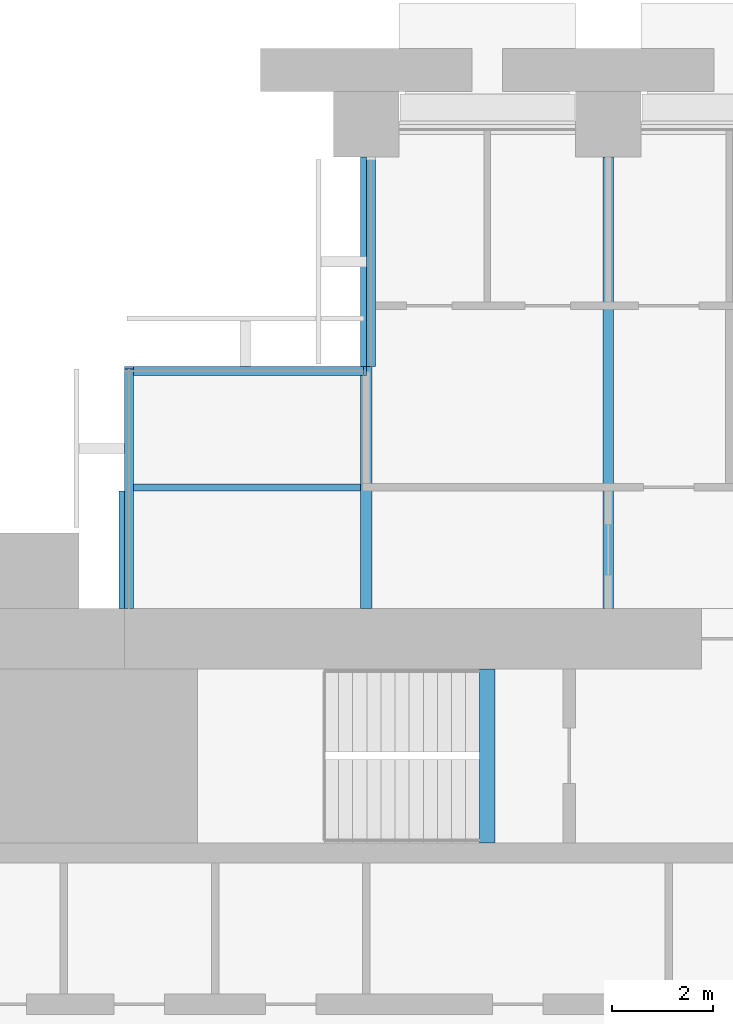
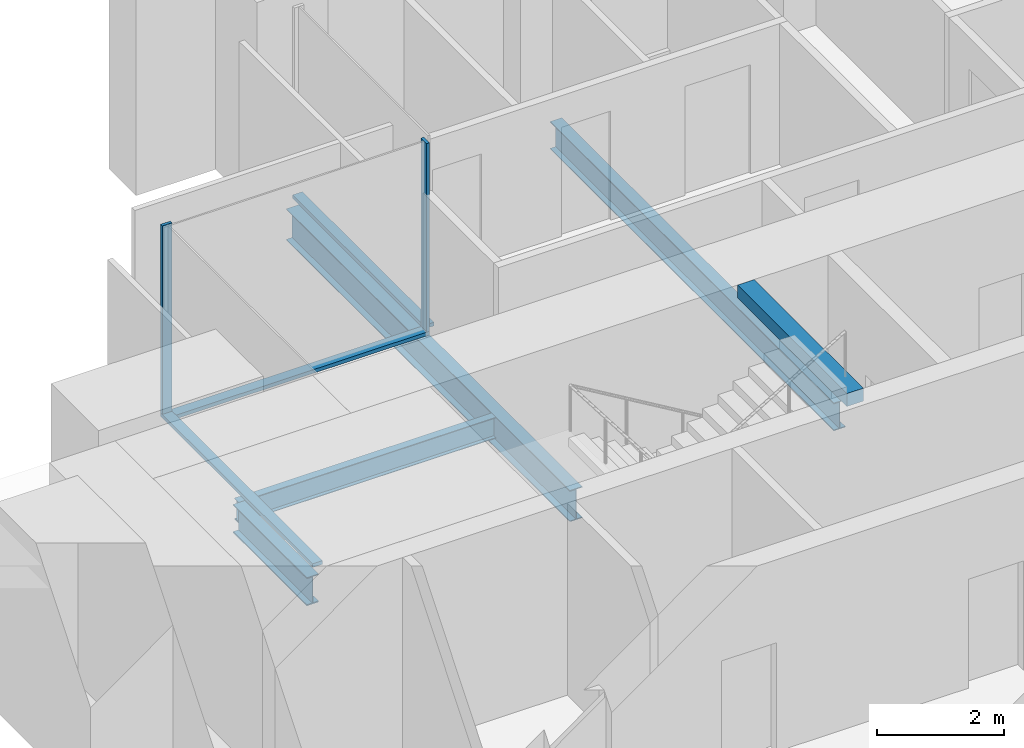
# One storey, part 5 of 15: 5 beams, 5 members, 3 elements without a shape of their own.
"""IFC4 building model written with IfcOpenShell, lengths in metres."""

from ifc_helpers import new_model, si_unit, direction, frame, origin, origin_2d, place, context, subcontext, project, spatial, rectangle, i_section, extrude, material, material_profile, profile_set, type_object, element, aggregate, save


model = new_model("IFC4")

# Units and contexts
model_context = context("Model", 3, precision=1e-05, world=origin(), true_north=direction((0.0, 1.0)))
body_context = subcontext(model_context, "Body", "Model", "MODEL_VIEW")
ifc_project = project(units=[si_unit("LENGTHUNIT", "METRE"), si_unit("AREAUNIT", "SQUARE_METRE"), si_unit("VOLUMEUNIT", "CUBIC_METRE"), si_unit("PLANEANGLEUNIT", "RADIAN"), si_unit("MASSUNIT", "GRAM", prefix="KILO")], contexts=[model_context])

# Site, building, storey
site_placement = place(None, origin())
site = spatial("IfcSite", under=ifc_project, at=site_placement, CompositionType="ELEMENT")
building_placement = place(site_placement, origin())
building = spatial("IfcBuilding", under=site, at=building_placement, Name="Baori Bourse Tower", CompositionType="ELEMENT")
storey_placement = place(building_placement, frame((0.0, 0.0, 83.0)))
storey = spatial("IfcBuildingStorey", under=building, at=storey_placement, Name="L18", CompositionType="ELEMENT", Elevation=83.0)

# Curtain wall, member
ifc_material_1 = material(Name="Pale anodised aluminium", Category="aluminium")
curtain_wall_type = type_object("IfcCurtainWallType", Name="CW2 Curtain wall", PredefinedType="NOTDEFINED", material=ifc_material_1)
curtain_wall_1_placement = place(storey_placement, origin())
curtain_wall_1 = element("IfcCurtainWall", 1, at=curtain_wall_1_placement, inside=storey, type_object=curtain_wall_type, Name="Curtain wall CW2 L18 9", PredefinedType="NOTDEFINED")
ifc_material_2 = material(Name="Pale anodised aluminium", Category="aluminium")
ifc_material_profile_1 = material_profile(ifc_material_2, rectangle(XDim=0.179931640625, YDim=0.054931640625, at=origin_2d()), Name="Mullion 55x180")
ifc_profile_set_1 = profile_set([ifc_material_profile_1], Name="Pale anodised aluminium")
member_type_1 = type_object("IfcMemberType", Name="CW2 Curtain wall mullion", PredefinedType="MULLION", material=ifc_profile_set_1)
member_1_placement = place(storey_placement, frame((9.572509765625, 43.110107421875, 0.070068359375), z_axis=(0.0, 0.0, 1.0), x_axis=(0.0, -1.0, 0.0)))
member_1 = element("IfcMember", 2, at=member_1_placement, type_object=member_type_1, Name="Curtain wall CW2 mullion", PredefinedType="MULLION", context=body_context, shape_type="SweptSolid", body=[
    extrude(rectangle(XDim=0.179931640625, YDim=0.054931640625, at=origin_2d()), origin(), (0.0, 0.0, 1.0), 3.6298828125),
])

curtain_wall_2_placement = place(storey_placement, origin())
curtain_wall_2 = element("IfcCurtainWall", 3, at=curtain_wall_2_placement, inside=storey, type_object=curtain_wall_type, Name="Curtain wall CW2 L18 10", PredefinedType="NOTDEFINED")
member_2_placement = place(storey_placement, frame((4.889892578125, 43.172607421875, 0.070068359375), z_axis=(0.0, 0.0, 1.0), x_axis=(1.0, 0.0, 0.0)))
member_2 = element("IfcMember", 4, at=member_2_placement, type_object=member_type_1, Name="Curtain wall CW2 mullion", PredefinedType="MULLION", context=body_context, shape_type="SweptSolid", body=[
    extrude(rectangle(XDim=0.179931640625, YDim=0.054931640625, at=origin_2d()), origin(), (0.0, 0.0, 1.0), 3.6298828125),
])

curtain_wall_3_placement = place(storey_placement, origin())
curtain_wall_3 = element("IfcCurtainWall", 5, at=curtain_wall_3_placement, inside=storey, type_object=curtain_wall_type, Name="Curtain wall CW2 L18 8", PredefinedType="NOTDEFINED")
ifc_material_3 = material(Name="Pale anodised aluminium", Category="aluminium")
ifc_material_profile_2 = material_profile(ifc_material_3, rectangle(XDim=0.179931640625, YDim=0.070068359375, at=origin_2d()), Name="Transom 70x180")
ifc_profile_set_2 = profile_set([ifc_material_profile_2], Name="Pale anodised aluminium")
member_type_2 = type_object("IfcMemberType", Name="CW2 Curtain wall transom", PredefinedType="USERDEFINED", material=ifc_profile_set_2)
member_3_placement = place(storey_placement, frame((9.68994140625, 47.35009765625, 0.034912109375), z_axis=(0.0, -1.0, 0.0), x_axis=(1.0, 0.0, 0.0)))
member_3 = element("IfcMember", 6, at=member_3_placement, type_object=member_type_2, Name="Curtain wall CW2 sill rail", ObjectType="TRANSOM", PredefinedType="USERDEFINED", context=body_context, shape_type="SweptSolid", body=[
    extrude(rectangle(XDim=0.179931640625, YDim=0.070068359375, at=origin_2d()), origin(), (0.0, 0.0, 1.0), 4.150146484375),
])
aggregate(curtain_wall_3, [member_3])

# Member
member_4_placement = place(storey_placement, frame((9.60009765625, 43.110107421875, 0.034912109375), z_axis=(-1.0, 0.0, 0.0), x_axis=(0.0, -1.0, 0.0)))
member_4 = element("IfcMember", 7, at=member_4_placement, type_object=member_type_2, Name="Curtain wall CW2 sill rail", ObjectType="TRANSOM", PredefinedType="USERDEFINED", context=body_context, shape_type="SweptSolid", body=[
    extrude(rectangle(XDim=0.179931640625, YDim=0.070068359375, at=origin_2d()), origin(), (0.0, 0.0, 1.0), 4.800048828125),
])

aggregate(curtain_wall_1, [member_4, member_1])

member_5_placement = place(storey_placement, frame((4.889892578125, 43.199951171875, 0.034912109375), z_axis=(0.0, -1.0, 0.0), x_axis=(1.0, 0.0, 0.0)))
member_5 = element("IfcMember", 8, at=member_5_placement, type_object=member_type_2, Name="Curtain wall CW2 sill rail", ObjectType="TRANSOM", PredefinedType="USERDEFINED", context=body_context, shape_type="SweptSolid", body=[
    extrude(rectangle(XDim=0.179931640625, YDim=0.070068359375, at=origin_2d()), origin(), (0.0, 0.0, 1.0), 4.800048828125),
])

aggregate(curtain_wall_2, [member_5, member_2])

# Beams
ifc_material_4 = material(Name="Steel A992 Gr 50", Category="steel")
ifc_material_profile_3 = material_profile(ifc_material_4, i_section(OverallWidth=0.21240234375, OverallDepth=0.54345703125, WebThickness=0.01318359375, FlangeThickness=0.021240234375, at=origin_2d()), Name="W21x83")
ifc_profile_set_3 = profile_set([ifc_material_profile_3], Name="Steel A992 Gr 50")
beam_type_1 = type_object("IfcBeamType", Name="Core bracket W21x83", PredefinedType="BEAM", material=ifc_profile_set_3)
beam_1_placement = place(storey_placement, frame((4.800048828125, 38.39990234375, -0.431884765625), z_axis=(0.0, 1.0, 0.0), x_axis=(-1.0, 0.0, 0.0)))
element("IfcBeam", 9, at=beam_1_placement, inside=storey, type_object=beam_type_1, Name="Core bracket L18", PredefinedType="BEAM", context=body_context, shape_type="SweptSolid", body=[
    extrude(i_section(OverallWidth=0.21240234375, OverallDepth=0.54345703125, WebThickness=0.01318359375, FlangeThickness=0.021240234375, at=origin_2d()), origin(), (0.0, 0.0, 1.0), 2.329833984375),
])
ifc_material_5 = material(Name="Steel A992 Gr 50", Category="steel")
ifc_material_profile_4 = material_profile(ifc_material_5, i_section(OverallWidth=0.209228515625, OverallDepth=0.533447265625, WebThickness=0.01025390625, FlangeThickness=0.015625, at=origin_2d()), Name="W21x62")
ifc_profile_set_4 = profile_set([ifc_material_profile_4], Name="Steel A992 Gr 50")
beam_type_2 = type_object("IfcBeamType", Name="Floor beam W21x62", PredefinedType="BEAM", material=ifc_profile_set_4)
beam_2_placement = place(storey_placement, frame((14.39990234375, 38.39990234375, -0.4267578125), z_axis=(0.0, 1.0, 0.0), x_axis=(-1.0, 0.0, 0.0)))
element("IfcBeam", 10, at=beam_2_placement, inside=storey, type_object=beam_type_2, Name="Floor beam L18", PredefinedType="BEAM", context=body_context, shape_type="SweptSolid", body=[
    extrude(i_section(OverallWidth=0.209228515625, OverallDepth=0.533447265625, WebThickness=0.01025390625, FlangeThickness=0.015625, at=origin_2d()), origin(), (0.0, 0.0, 1.0), 8.9501953125),
])
ifc_material_6 = material(Name="Steel A992 Gr 50", Category="steel")
ifc_material_profile_5 = material_profile(ifc_material_6, i_section(OverallWidth=0.227783203125, OverallDepth=0.60205078125, WebThickness=0.010498046875, FlangeThickness=0.014892578125, at=origin_2d()), Name="W24x68")
ifc_profile_set_5 = profile_set([ifc_material_profile_5], Name="Steel A992 Gr 50")
beam_type_3 = type_object("IfcBeamType", Name="Floor beam W24x68", PredefinedType="BEAM", material=ifc_profile_set_5)
beam_3_placement = place(storey_placement, frame((9.60009765625, 38.39990234375, -0.4609375), z_axis=(0.0, 1.0, 0.0), x_axis=(-1.0, 0.0, 0.0)))
element("IfcBeam", 11, at=beam_3_placement, inside=storey, type_object=beam_type_3, Name="Floor beam L18", PredefinedType="BEAM", context=body_context, shape_type="SweptSolid", body=[
    extrude(i_section(OverallWidth=0.227783203125, OverallDepth=0.60205078125, WebThickness=0.010498046875, FlangeThickness=0.014892578125, at=origin_2d()), origin(), (0.0, 0.0, 1.0), 8.9501953125),
])
ifc_material_7 = material(Name="Concrete f'c 50 MPa", Category="concrete")
ifc_material_profile_6 = material_profile(ifc_material_7, rectangle(XDim=0.300048828125, YDim=0.25, at=origin_2d()), Name="RC 300x250")
ifc_profile_set_6 = profile_set([ifc_material_profile_6], Name="Concrete f'c 50 MPa")
beam_type_4 = type_object("IfcBeamType", Name="Stair nib beam RC 300x250", PredefinedType="BEAM", material=ifc_profile_set_6)
beam_4_placement = place(storey_placement, frame((12.0, 33.75, 3.574951171875), z_axis=(0.0, 1.0, 0.0), x_axis=(-1.0, 0.0, 0.0)))
element("IfcBeam", 12, at=beam_4_placement, inside=storey, type_object=beam_type_4, Name="Stair WB nib beam L19", PredefinedType="BEAM", context=body_context, shape_type="SweptSolid", body=[
    extrude(rectangle(XDim=0.300048828125, YDim=0.25, at=origin_2d()), origin(), (0.0, 0.0, 1.0), 3.449951171875),
])
ifc_material_8 = material(Name="Steel A992 Gr 50", Category="steel")
ifc_material_profile_7 = material_profile(ifc_material_8, i_section(OverallWidth=0.140380859375, OverallDepth=0.40380859375, WebThickness=0.007080078125, FlangeThickness=0.01123046875, at=origin_2d()), Name="W16x31")
ifc_profile_set_7 = profile_set([ifc_material_profile_7], Name="Steel A992 Gr 50")
beam_type_5 = type_object("IfcBeamType", Name="Trimmer beam W16x31", PredefinedType="BEAM", material=ifc_profile_set_7)
beam_5_placement = place(storey_placement, frame((4.800048828125, 40.800048828125, -0.36181640625), z_axis=(1.0, 0.0, 0.0), x_axis=(0.0, 1.0, 0.0)))
element("IfcBeam", 13, at=beam_5_placement, inside=storey, type_object=beam_type_5, Name="Trimmer beam L18", PredefinedType="BEAM", context=body_context, shape_type="SweptSolid", body=[
    extrude(i_section(OverallWidth=0.140380859375, OverallDepth=0.40380859375, WebThickness=0.007080078125, FlangeThickness=0.01123046875, at=origin_2d()), origin(), (0.0, 0.0, 1.0), 4.68603515625),
])

save(model, "model.ifc")
